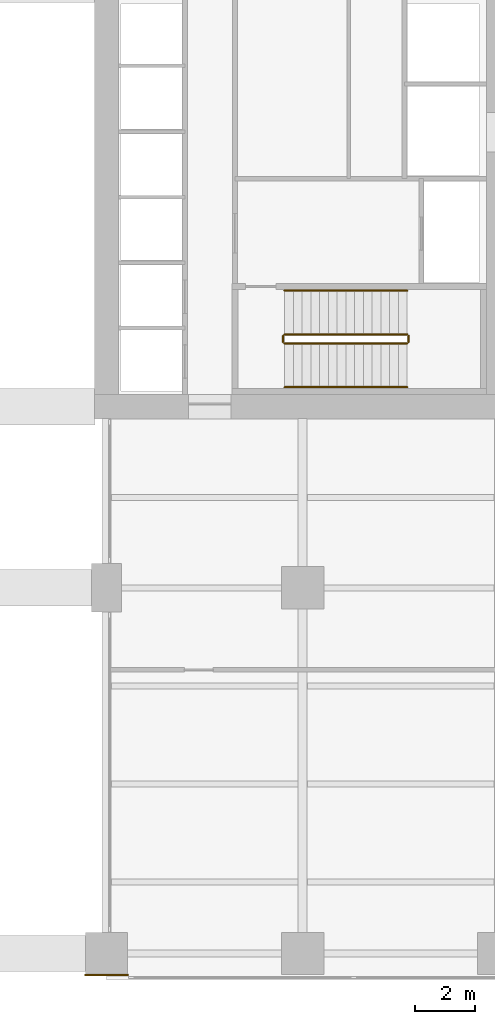
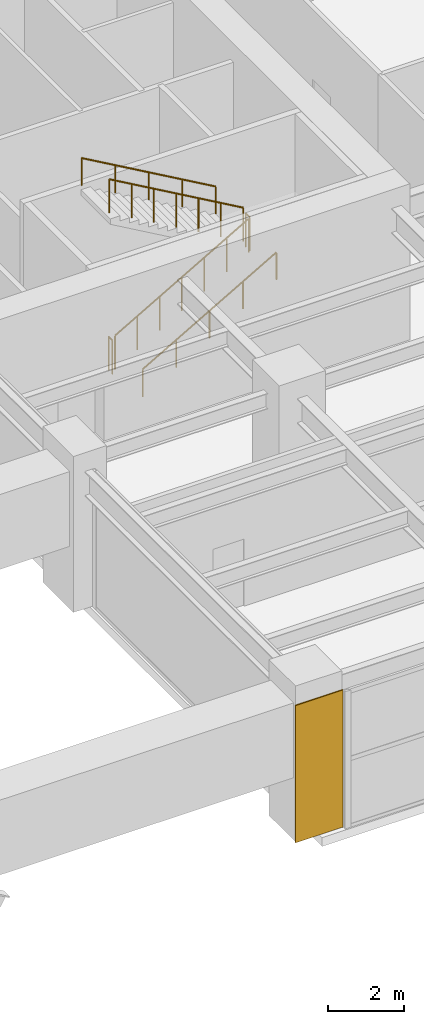
# One storey, part 21 of 23: 6 railings, 1 covering.
"""IFC4 building model written with IfcOpenShell, lengths in metres."""

import ifcopenshell
import ifcopenshell.guid

model = None  # the IFC model being written
_history = None  # IfcOwnerHistory: only IFC2X3 demands one
_inside = {}  # id of a spatial element -> (the spatial element, [elements in it])
_under = {}  # id of a project, library or spatial element -> (it, [spatial elements below it])
_declared = {}  # id of a project -> (the project, [libraries it declares])
_typed = {}  # id of a type object -> (the type object, [elements of that type])
_made_of = {}  # id of a material, layer set ... -> (it, [elements and type objects made of it])


def new_model(schema):
    """Start an empty IFC model of exactly this schema.

    Asked for "IFC4X3", IfcOpenShell would pick the latest addendum, in which some entities
    have other attributes; the version numbers below select the first issue.
    IFC2X3 requires an IfcOwnerHistory on every rooted entity: one is made here for all.
    """
    global model, _history
    if schema == "IFC4X3":
        model = ifcopenshell.file(schema_version=(4, 3, 0, 0))
    else:
        model = ifcopenshell.file(schema=schema)
    _inside.clear()
    _under.clear()
    _declared.clear()
    _typed.clear()
    _made_of.clear()
    _history = None
    if model.schema == "IFC2X3":
        org = make("IfcOrganization", Name="unknown")
        user = make(
            "IfcPersonAndOrganization",
            ThePerson=make("IfcPerson", FamilyName="unknown"),
            TheOrganization=org,
        )
        app = make(
            "IfcApplication",
            ApplicationDeveloper=org,
            Version="unknown",
            ApplicationFullName="unknown",
            ApplicationIdentifier="unknown",
        )
        _history = make(
            "IfcOwnerHistory",
            OwningUser=user,
            OwningApplication=app,
            ChangeAction="ADDED",
            CreationDate=0,
        )
    return model


def make(cls, **values):
    """One entity of the class cls with the attributes given. An attribute that is None is left unset."""
    return model.create_entity(
        cls, **{name: value for name, value in values.items() if value is not None}
    )


def rooted(cls, **values):
    """An entity with a GlobalId (a new one), such as an element, a storey or a relation."""
    return make(cls, GlobalId=ifcopenshell.guid.new(), OwnerHistory=_history, **values)


def si_unit(unit_type, name, prefix=None):
    """IfcSIUnit, for example si_unit("LENGTHUNIT", "METRE", prefix="MILLI")."""
    return make("IfcSIUnit", UnitType=unit_type, Prefix=prefix, Name=name)


def assignment(units):
    """IfcUnitAssignment: the units of a project."""
    return None if units is None else make("IfcUnitAssignment", Units=units)


def point(xyz):
    """IfcCartesianPoint."""
    return None if xyz is None else make("IfcCartesianPoint", Coordinates=xyz)


def direction(xyz):
    """IfcDirection."""
    return None if xyz is None else make("IfcDirection", DirectionRatios=xyz)


def frame(location, z_axis=None, x_axis=None):
    """IfcAxis2Placement3D, a coordinate frame: its origin and axes. An axis left out is left unset."""
    return make(
        "IfcAxis2Placement3D",
        Location=point(location),
        Axis=direction(z_axis),
        RefDirection=direction(x_axis),
    )


def frame_2d(location, x_axis=None):
    """IfcAxis2Placement2D, a coordinate frame in the plane: its origin and x axis."""
    return make(
        "IfcAxis2Placement2D", Location=point(location), RefDirection=direction(x_axis)
    )


def origin():
    """The frame at (0, 0, 0) with its axes left unset."""
    return frame((0.0, 0.0, 0.0))


def origin_2d():
    """The frame at (0, 0) in the plane with its x axis left unset."""
    return frame_2d((0.0, 0.0))


def place(relative_to, where):
    """IfcLocalPlacement: puts the frame where relative to a parent placement (None: the world)."""
    return make(
        "IfcLocalPlacement", PlacementRelTo=relative_to, RelativePlacement=where
    )


def context(
    kind, dimensions, precision=None, world=None, true_north=None, identifier=None
):
    """IfcGeometricRepresentationContext, for example the 3D "Model" context."""
    return make(
        "IfcGeometricRepresentationContext",
        ContextIdentifier=identifier,
        ContextType=kind,
        CoordinateSpaceDimension=dimensions,
        Precision=precision,
        WorldCoordinateSystem=world,
        TrueNorth=true_north,
    )


def subcontext(parent, identifier, kind, view, scale=None):
    """IfcGeometricRepresentationSubContext, for example "Body" below "Model"."""
    return make(
        "IfcGeometricRepresentationSubContext",
        ContextIdentifier=identifier,
        ContextType=kind,
        ParentContext=parent,
        TargetScale=scale,
        TargetView=view,
    )


def project(units=None, contexts=None):
    """IfcProject with its units and contexts."""
    return rooted(
        "IfcProject",
        Name="project",
        RepresentationContexts=contexts,
        UnitsInContext=assignment(units),
    )


def spatial(cls, under=None, at=None, **own):
    """A site, building, storey or space (cls), placed at a placement, below another one or the project."""
    s = rooted(cls, ObjectPlacement=at, **own)
    if under is not None:
        _under.setdefault(under.id(), (under, []))[1].append(s)
    return s


def profile(cls, at=None, kind="AREA", **sizes):
    """A parametric profile (cls). Its sizes go by their IFC names, for example OverallWidth=200.0."""
    return make(cls, ProfileType=kind, Position=at, **sizes)


def rectangle(**sizes):
    """IfcRectangleProfileDef."""
    return profile("IfcRectangleProfileDef", **sizes)


def circle(**sizes):
    """IfcCircleProfileDef."""
    return profile("IfcCircleProfileDef", **sizes)


def extrude(swept, where, along, depth):
    """IfcExtrudedAreaSolid: the profile swept, set in the frame where, extruded along a direction by depth."""
    return make(
        "IfcExtrudedAreaSolid",
        SweptArea=swept,
        Position=where,
        ExtrudedDirection=direction(along),
        Depth=depth,
    )


def shape(context_of_items, identifier, shape_type, items):
    """IfcShapeRepresentation: the items that make up one representation, for example the "Body"."""
    return make(
        "IfcShapeRepresentation",
        ContextOfItems=context_of_items,
        RepresentationIdentifier=identifier,
        RepresentationType=shape_type,
        Items=items,
    )


def material(Name=None, Category=None):
    """IfcMaterial."""
    return make("IfcMaterial", Name=Name, Category=Category)


def layer(
    of_material, thickness, ventilated=None, Name=None, Category=None, Priority=None
):
    """IfcMaterialLayer: one layer of a wall or slab, of a material (None: an air gap)."""
    return make(
        "IfcMaterialLayer",
        Material=of_material,
        LayerThickness=thickness,
        IsVentilated=ventilated,
        Name=Name,
        Category=Category,
        Priority=Priority,
    )


def layer_set(layers, Name=None):
    """IfcMaterialLayerSet."""
    return make("IfcMaterialLayerSet", MaterialLayers=layers, LayerSetName=Name)


def made_of(thing, what):
    """Note that an element or type object is made of a material, layer set ...; save() writes the relation."""
    if what is not None:
        _made_of.setdefault(what.id(), (what, []))[1].append(thing)
    return thing


def type_object(cls, material=None, **own):
    """A type object (cls), such as IfcWallType, which elements share."""
    return made_of(rooted(cls, **own), material)


def element(
    cls,
    number,
    at=None,
    inside=None,
    cuts=None,
    type_object=None,
    material=None,
    context=None,
    identifier="Body",
    shape_type=None,
    held_by="IfcProductDefinitionShape",
    body=None,
    shapes=None,
    **own,
):
    """One element of the class cls, such as IfcWall. Its Tag is "e" and its number.

    at: its placement. inside: the storey or other place that contains it. cuts: it is an
    opening in that element (IfcRelVoidsElement). A single representation is given by context,
    identifier, shape_type and body (its items); several are given by shapes. held_by: the class
    of the entity that holds the representations. save() writes the other relations.
    """
    e = rooted(cls, Tag="e%d" % number, ObjectPlacement=at, **own)
    if body is not None:
        shapes = [shape(context, identifier, shape_type, body)]
    if shapes is not None:
        e.Representation = make(held_by, Representations=shapes)
    if inside is not None:
        _inside.setdefault(inside.id(), (inside, []))[1].append(e)
    if cuts is not None:
        rooted(
            "IfcRelVoidsElement", RelatingBuildingElement=cuts, RelatedOpeningElement=e
        )
    if type_object is not None:
        _typed.setdefault(type_object.id(), (type_object, []))[1].append(e)
    return made_of(e, material)


def aggregate(whole, parts):
    """IfcRelAggregates: a whole, such as a stair, and the parts it consists of."""
    return rooted("IfcRelAggregates", RelatingObject=whole, RelatedObjects=parts)


def save(model, path):
    """Write the relations noted so far, then the file.

    IfcRelAggregates (storeys below a building ...), IfcRelContainedInSpatialStructure (elements
    in a storey), IfcRelDefinesByType, IfcRelAssociatesMaterial and IfcRelDeclares: one each for
    every whole, place, type object, material and project.
    """
    for whole, parts in _under.values():
        aggregate(whole, parts)
    for where, things in _inside.values():
        rooted(
            "IfcRelContainedInSpatialStructure",
            RelatedElements=things,
            RelatingStructure=where,
        )
    for kind, things in _typed.values():
        rooted("IfcRelDefinesByType", RelatedObjects=things, RelatingType=kind)
    for what, things in _made_of.values():
        rooted("IfcRelAssociatesMaterial", RelatedObjects=things, RelatingMaterial=what)
    for by, libraries in _declared.values():
        rooted("IfcRelDeclares", RelatingContext=by, RelatedDefinitions=libraries)
    model.write(path)


model = new_model("IFC4")

# Units and contexts
model_context = context("Model", 3, precision=1e-05, world=origin(), true_north=direction((0.0, 1.0)))
body_context = subcontext(model_context, "Body", "Model", "MODEL_VIEW")
ifc_project = project(units=[si_unit("LENGTHUNIT", "METRE"), si_unit("AREAUNIT", "SQUARE_METRE"), si_unit("VOLUMEUNIT", "CUBIC_METRE"), si_unit("PLANEANGLEUNIT", "RADIAN"), si_unit("MASSUNIT", "GRAM", prefix="KILO")], contexts=[model_context])

# Site, building, storey
site_placement = place(None, origin())
site = spatial("IfcSite", under=ifc_project, at=site_placement, CompositionType="ELEMENT")
building_placement = place(site_placement, origin())
building = spatial("IfcBuilding", under=site, at=building_placement, Name="Putna Gate Headquarters", CompositionType="ELEMENT")
storey_placement = place(building_placement, frame((0.0, 0.0, 17.0)))
storey = spatial("IfcBuildingStorey", under=building, at=storey_placement, Name="L03", CompositionType="ELEMENT", Elevation=17.0)

# Covering
ifc_material_1 = material(Name="Anodised architectural bronze rainscreen cladding", Category="aluminium")
ifc_layer = layer(ifc_material_1, 0.0400390625)
ifc_layer_set = layer_set([ifc_layer], Name="Anodised architectural bronze rainscreen cladding")
covering_type = type_object("IfcCoveringType", Name="COV-BRONZE-CLADDING", PredefinedType="CLADDING", material=ifc_layer_set)
covering_placement = place(storey_placement, frame((52.0, 0.1650390625, 0.0), z_axis=(0.0, 0.0, 1.0), x_axis=(1.0, 0.0, 0.0)))
element("IfcCovering", 1, at=covering_placement, inside=storey, type_object=covering_type, Name="L03 Giant Arch Pier Bronze Cladding ES", PredefinedType="CLADDING", context=body_context, shape_type="SweptSolid", body=[
    extrude(rectangle(XDim=1.43994140625, YDim=0.0400390625, at=origin_2d()), origin(), (0.0, 0.0, 1.0), 4.39990234375),
])

# Railings
ifc_material_2 = material(Name="Powder-coated steel stair guardrail", Category="steel")
railing_type_1 = type_object("IfcRailingType", Name="RAIL-STAIR-GUARD-1100", PredefinedType="GUARDRAIL", material=ifc_material_2)
railing_1_placement = place(storey_placement, frame((57.89990234375, 21.10009765625, 0.166748046875)))
element("IfcRailing", 2, at=railing_1_placement, inside=storey, type_object=railing_type_1, Name="L03 ST2 stair guard 1", PredefinedType="GUARDRAIL", context=body_context, shape_type="SweptSolid", body=[
    extrude(circle(Radius=0.02392578125, at=origin_2d()), frame((0.0, 0.0, 1.076171875), z_axis=(0.867024558463, 0.0, 0.498265406207), x_axis=(0.0, 1.0, 0.0)), (0.0, 0.0, 1.0), 4.682861328125),
    extrude(circle(Radius=0.02099609375, at=origin_2d()), origin(), (0.0, 0.0, 1.0), 1.052001953125),
    extrude(circle(Radius=0.02099609375, at=origin_2d()), frame((0.6767578125, 0.0, 0.388916015625)), (0.0, 0.0, 1.0), 1.052001953125),
    extrude(circle(Radius=0.02099609375, at=origin_2d()), frame((1.353271484375, 0.0, 0.77783203125)), (0.0, 0.0, 1.0), 1.052001953125),
    extrude(circle(Radius=0.02099609375, at=origin_2d()), frame((2.030029296875, 0.0, 1.16650390625)), (0.0, 0.0, 1.0), 1.052001953125),
    extrude(circle(Radius=0.02099609375, at=origin_2d()), frame((2.706787109375, 0.0, 1.555419921875)), (0.0, 0.0, 1.0), 1.052001953125),
    extrude(circle(Radius=0.02099609375, at=origin_2d()), frame((3.38330078125, 0.0, 1.9443359375)), (0.0, 0.0, 1.0), 1.052001953125),
    extrude(circle(Radius=0.02099609375, at=origin_2d()), frame((4.06005859375, 0.0, 2.333251953125)), (0.0, 0.0, 1.0), 1.052001953125),
])
railing_2_placement = place(storey_placement, frame((62.010009765625, 21.14990234375, 2.5)))
element("IfcRailing", 3, at=railing_2_placement, inside=storey, type_object=railing_type_1, Name="L03 ST2 stair guard 2", PredefinedType="GUARDRAIL", context=body_context, shape_type="SweptSolid", body=[
    extrude(circle(Radius=0.02392578125, at=origin_2d()), frame((0.0, 0.0, 1.076171875), z_axis=(0.0, 1.0, 0.0), x_axis=(-1.0, 0.0, 0.0)), (0.0, 0.0, 1.0), 0.2001953125),
    extrude(circle(Radius=0.02099609375, at=origin_2d()), origin(), (0.0, 0.0, 1.0), 1.052001953125),
    extrude(circle(Radius=0.02099609375, at=origin_2d()), frame((0.0, 0.2001953125, 0.0)), (0.0, 0.0, 1.0), 1.052001953125),
])
railing_3_placement = place(storey_placement, frame((61.9599609375, 21.39990234375, 2.666748046875)))
element("IfcRailing", 4, at=railing_3_placement, inside=storey, type_object=railing_type_1, Name="L03 ST2 stair guard 3", PredefinedType="GUARDRAIL", context=body_context, shape_type="SweptSolid", body=[
    extrude(circle(Radius=0.02392578125, at=origin_2d()), frame((0.0, 0.0, 1.076171875), z_axis=(-0.867024558463, 0.0, 0.498265406207), x_axis=(0.0, -1.0, 0.0)), (0.0, 0.0, 1.0), 4.682861328125),
    extrude(circle(Radius=0.02099609375, at=origin_2d()), origin(), (0.0, 0.0, 1.0), 1.052001953125),
    extrude(circle(Radius=0.02099609375, at=origin_2d()), frame((-0.6767578125, 0.0, 0.388916015625)), (0.0, 0.0, 1.0), 1.052001953125),
    extrude(circle(Radius=0.02099609375, at=origin_2d()), frame((-1.353271484375, 0.0, 0.77783203125)), (0.0, 0.0, 1.0), 1.052001953125),
    extrude(circle(Radius=0.02099609375, at=origin_2d()), frame((-2.030029296875, 0.0, 1.16650390625)), (0.0, 0.0, 1.0), 1.052001953125),
    extrude(circle(Radius=0.02099609375, at=origin_2d()), frame((-2.706787109375, 0.0, 1.555419921875)), (0.0, 0.0, 1.0), 1.052001953125),
    extrude(circle(Radius=0.02099609375, at=origin_2d()), frame((-3.38330078125, 0.0, 1.9443359375)), (0.0, 0.0, 1.0), 1.052001953125),
    extrude(circle(Radius=0.02099609375, at=origin_2d()), frame((-4.06005859375, 0.0, 2.333251953125)), (0.0, 0.0, 1.0), 1.052001953125),
])
railing_4_placement = place(storey_placement, frame((57.85009765625, 21.14990234375, 0.0)))
element("IfcRailing", 5, at=railing_4_placement, inside=storey, type_object=railing_type_1, Name="L03 ST2 stair guard 4", PredefinedType="GUARDRAIL", context=body_context, shape_type="SweptSolid", body=[
    extrude(circle(Radius=0.02392578125, at=origin_2d()), frame((0.0, 0.0, 1.076171875), z_axis=(0.0, 1.0, 0.0), x_axis=(-1.0, 0.0, 0.0)), (0.0, 0.0, 1.0), 0.2001953125),
    extrude(circle(Radius=0.02099609375, at=origin_2d()), origin(), (0.0, 0.0, 1.0), 1.052001953125),
    extrude(circle(Radius=0.02099609375, at=origin_2d()), frame((0.0, 0.2001953125, 0.0)), (0.0, 0.0, 1.0), 1.052001953125),
])
ifc_material_3 = material(Name="Brushed stainless steel handrail", Category="steel")
railing_type_2 = type_object("IfcRailingType", Name="RAIL-STAIR-HAND-900", PredefinedType="HANDRAIL", material=ifc_material_3)
railing_5_placement = place(storey_placement, frame((57.89990234375, 19.64990234375, 0.166748046875)))
element("IfcRailing", 6, at=railing_5_placement, inside=storey, type_object=railing_type_2, Name="L03 ST2 stair handrail 1", PredefinedType="HANDRAIL", context=body_context, shape_type="SweptSolid", body=[
    extrude(circle(Radius=0.02392578125, at=origin_2d()), frame((0.0, 0.0, 0.8759765625), z_axis=(0.867024558463, 0.0, 0.498265406207), x_axis=(0.0, 1.0, 0.0)), (0.0, 0.0, 1.0), 4.682861328125),
    extrude(circle(Radius=0.02099609375, at=origin_2d()), origin(), (0.0, 0.0, 1.0), 0.851806640625),
    extrude(circle(Radius=0.02099609375, at=origin_2d()), frame((1.01513671875, 0.0, 0.583251953125)), (0.0, 0.0, 1.0), 0.851806640625),
    extrude(circle(Radius=0.02099609375, at=origin_2d()), frame((2.030029296875, 0.0, 1.16650390625)), (0.0, 0.0, 1.0), 0.851806640625),
    extrude(circle(Radius=0.02099609375, at=origin_2d()), frame((3.044921875, 0.0, 1.75)), (0.0, 0.0, 1.0), 0.851806640625),
    extrude(circle(Radius=0.02099609375, at=origin_2d()), frame((4.06005859375, 0.0, 2.333251953125)), (0.0, 0.0, 1.0), 0.851806640625),
])
railing_6_placement = place(storey_placement, frame((61.9599609375, 22.85009765625, 2.666748046875)))
element("IfcRailing", 7, at=railing_6_placement, inside=storey, type_object=railing_type_2, Name="L03 ST2 stair handrail 2", PredefinedType="HANDRAIL", context=body_context, shape_type="SweptSolid", body=[
    extrude(circle(Radius=0.02392578125, at=origin_2d()), frame((0.0, 0.0, 0.8759765625), z_axis=(-0.867024558463, 0.0, 0.498265406207), x_axis=(0.0, -1.0, 0.0)), (0.0, 0.0, 1.0), 4.682861328125),
    extrude(circle(Radius=0.02099609375, at=origin_2d()), origin(), (0.0, 0.0, 1.0), 0.851806640625),
    extrude(circle(Radius=0.02099609375, at=origin_2d()), frame((-1.01513671875, 0.0, 0.583251953125)), (0.0, 0.0, 1.0), 0.851806640625),
    extrude(circle(Radius=0.02099609375, at=origin_2d()), frame((-2.030029296875, 0.0, 1.16650390625)), (0.0, 0.0, 1.0), 0.851806640625),
    extrude(circle(Radius=0.02099609375, at=origin_2d()), frame((-3.044921875, 0.0, 1.75)), (0.0, 0.0, 1.0), 0.851806640625),
    extrude(circle(Radius=0.02099609375, at=origin_2d()), frame((-4.06005859375, 0.0, 2.333251953125)), (0.0, 0.0, 1.0), 0.851806640625),
])

save(model, "model.ifc")
